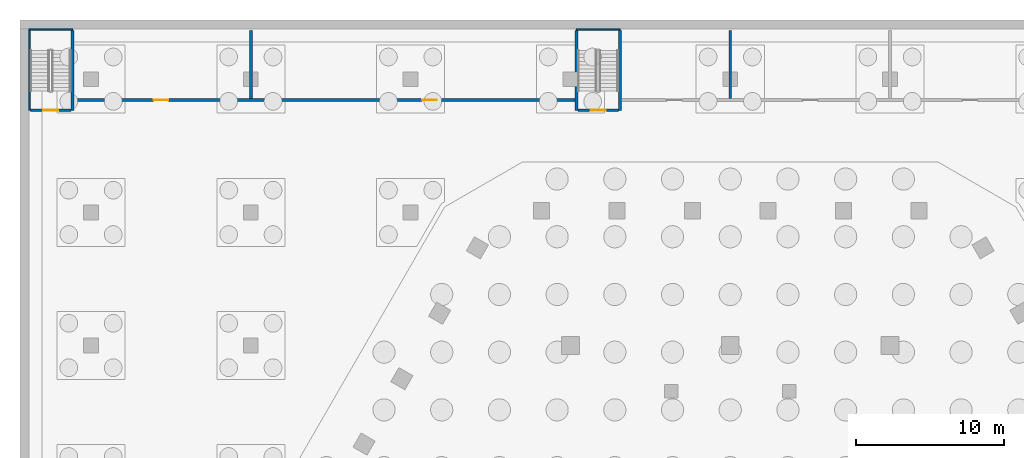
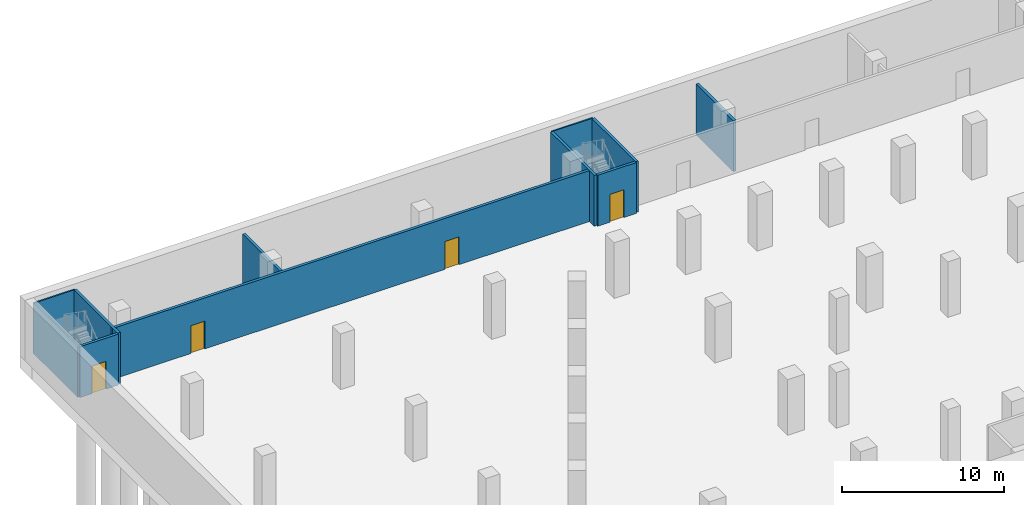
# One storey, part 9 of 21: 11 walls, 4 doors, 4 openings.
"""IFC4 building model written with IfcOpenShell, lengths in metres."""

from ifc_helpers import new_model, si_unit, direction, frame, frame_2d, origin, place, context, subcontext, project, spatial, rectangle, extrude, material, layer, layer_set, type_object, element, fill, save


model = new_model("IFC4")

# Units and contexts
model_context = context("Model", 3, precision=1e-05, world=origin(), true_north=direction((0.0, 1.0)))
body_context = subcontext(model_context, "Body", "Model", "MODEL_VIEW")
ifc_project = project(units=[si_unit("LENGTHUNIT", "METRE"), si_unit("AREAUNIT", "SQUARE_METRE"), si_unit("VOLUMEUNIT", "CUBIC_METRE"), si_unit("PLANEANGLEUNIT", "RADIAN"), si_unit("MASSUNIT", "GRAM", prefix="KILO")], contexts=[model_context])

# Site, building, storey
site_placement = place(None, origin())
site = spatial("IfcSite", under=ifc_project, at=site_placement, CompositionType="ELEMENT")
building_placement = place(site_placement, origin())
building = spatial("IfcBuilding", under=site, at=building_placement, Name="Beryl Residences", CompositionType="ELEMENT")
storey_placement = place(building_placement, frame((0.0, 0.0, -8.39990234375)))
storey = spatial("IfcBuildingStorey", under=building, at=storey_placement, Name="B2", CompositionType="ELEMENT", Elevation=-8.39990234375)

# Wall, opening, door
ifc_material_1 = material(Name="Concrete C40/50", Category="concrete")
ifc_layer_1 = layer(ifc_material_1, 0.199951171875)
ifc_layer_set_1 = layer_set([ifc_layer_1], Name="PT5 stair enclosure wall 200 mm reinforced concrete C40/50")
wall_type_1 = type_object("IfcWallType", Name="PT5 stair enclosure wall 200 mm reinforced concrete C40/50", PredefinedType="SOLIDWALL", material=ifc_layer_set_1)
wall_1_placement = place(storey_placement, frame((-47.300048828125, 33.89990234375, 0.0), z_axis=(0.0, 0.0, 1.0), x_axis=(1.0, 0.0, 0.0)))
wall_1 = element("IfcWall", 1, at=wall_1_placement, inside=storey, type_object=wall_type_1, Name="Wall PT5 B2 004", PredefinedType="SOLIDWALL", context=body_context, shape_type="SweptSolid", body=[
    extrude(rectangle(XDim=2.75, YDim=0.199951171875, at=frame_2d((1.375, 0.0))), origin(), (0.0, 0.0, 1.0), 3.849853515625),
])
opening_1_placement = place(wall_1_placement, frame((0.875, 0.0, 0.0)))
opening_1 = element("IfcOpeningElement", 2, at=opening_1_placement, cuts=wall_1, Name="Opening B2-01", PredefinedType="OPENING", context=body_context, shape_type="SweptSolid", body=[
    extrude(rectangle(XDim=1.0, YDim=2.10009765625, at=frame_2d((0.5, 1.050048828125))), frame((0.0, 0.10986328125, 0.0), z_axis=(0.0, -1.0, 0.0), x_axis=(1.0, 0.0, 0.0)), (0.0, 0.0, 1.0), 0.219970703125),
])
ifc_material_2 = material(Name="Steel door leaf in steel frame", Category="steel")
door_type_1 = type_object("IfcDoorType", Name="D15 stair door 1000 x 2100 mm", OperationType="SINGLE_SWING_LEFT", PredefinedType="DOOR", material=ifc_material_2)
door_1_placement = place(opening_1_placement, origin())
door_1 = element("IfcDoor", 3, at=door_1_placement, inside=storey, type_object=door_type_1, Name="Door B2-01 B2 001", OperationType="SINGLE_SWING_LEFT", OverallHeight=2.10009765625, OverallWidth=1.0, PredefinedType="DOOR", context=body_context, shape_type="SweptSolid", body=[
    extrude(rectangle(XDim=1.0, YDim=2.10009765625, at=frame_2d((0.5, 1.050048828125))), frame((0.0, 0.02490234375, 0.0), z_axis=(0.0, -1.0, 0.0), x_axis=(1.0, 0.0, 0.0)), (0.0, 0.0, 1.0), 0.050048828125),
])
fill(opening_1, door_1)

wall_2_placement = place(storey_placement, frame((-10.300048828125, 33.89990234375, 0.0), z_axis=(0.0, 0.0, 1.0), x_axis=(1.0, 0.0, 0.0)))
wall_2 = element("IfcWall", 4, at=wall_2_placement, inside=storey, type_object=wall_type_1, Name="Wall PT5 B2 005", PredefinedType="SOLIDWALL", context=body_context, shape_type="SweptSolid", body=[
    extrude(rectangle(XDim=2.75, YDim=0.199951171875, at=frame_2d((1.375, 0.0))), origin(), (0.0, 0.0, 1.0), 3.849853515625),
])
opening_2_placement = place(wall_2_placement, frame((0.875, 0.0, 0.0)))
opening_2 = element("IfcOpeningElement", 5, at=opening_2_placement, cuts=wall_2, Name="Opening B2-02", PredefinedType="OPENING", context=body_context, shape_type="SweptSolid", body=[
    extrude(rectangle(XDim=1.0, YDim=2.10009765625, at=frame_2d((0.5, 1.050048828125))), frame((0.0, 0.10986328125, 0.0), z_axis=(0.0, -1.0, 0.0), x_axis=(1.0, 0.0, 0.0)), (0.0, 0.0, 1.0), 0.219970703125),
])
door_2_placement = place(opening_2_placement, origin())
door_2 = element("IfcDoor", 6, at=door_2_placement, inside=storey, type_object=door_type_1, Name="Door B2-02 B2 001", OperationType="SINGLE_SWING_RIGHT", OverallHeight=2.10009765625, OverallWidth=1.0, PredefinedType="DOOR", context=body_context, shape_type="SweptSolid", body=[
    extrude(rectangle(XDim=1.0, YDim=2.10009765625, at=frame_2d((0.5, 1.050048828125))), frame((0.0, 0.02490234375, 0.0), z_axis=(0.0, -1.0, 0.0), x_axis=(1.0, 0.0, 0.0)), (0.0, 0.0, 1.0), 0.050048828125),
])
fill(opening_2, door_2)

# Walls
for number, where, z_axis, x_axis, name in (
    (7, (-44.449951171875, 33.89990234375, 0.0), (0.0, 0.0, 1.0), (0.0, 1.0, 0.0), "Wall PT5 B2 008"),
    (8, (-10.39990234375, 33.89990234375, 0.0), (0.0, 0.0, 1.0), (0.0, 1.0, 0.0), "Wall PT5 B2 011"),
    (9, (-7.449951171875, 33.89990234375, 0.0), (0.0, 0.0, 1.0), (0.0, 1.0, 0.0), "Wall PT5 B2 012"),
):
    element("IfcWall", number, at=place(storey_placement, frame(where, z_axis=z_axis, x_axis=x_axis)), inside=storey, type_object=wall_type_1, Name=name, PredefinedType="SOLIDWALL", context=body_context, shape_type="SweptSolid", body=[
        extrude(rectangle(XDim=5.400146484375, YDim=0.199951171875, at=frame_2d((2.7001953125, 0.0))), origin(), (0.0, 0.0, 1.0), 3.849853515625),
    ])
ifc_material_3 = material(Name="Concrete C40/50", Category="concrete")
ifc_layer_2 = layer(ifc_material_3, 0.10009765625)
ifc_layer_set_2 = layer_set([ifc_layer_2], Name="PT5-100 stair enclosure wall 100 mm")
wall_type_2 = type_object("IfcWallType", Name="PT5-100 stair enclosure wall 100 mm", PredefinedType="SOLIDWALL", material=ifc_layer_set_2)
wall_3_placement = place(storey_placement, frame((-47.35009765625, 33.89990234375, 0.0), z_axis=(0.0, 0.0, 1.0), x_axis=(0.0, 1.0, 0.0)))
element("IfcWall", 10, at=wall_3_placement, inside=storey, type_object=wall_type_2, Name="Wall PT5-100 B2 001", PredefinedType="SOLIDWALL", context=body_context, shape_type="SweptSolid", body=[
    extrude(rectangle(XDim=5.5, YDim=0.10009765625, at=frame_2d((2.75, 0.0))), origin(), (0.0, 0.0, 1.0), 3.849853515625),
])
for number, where, z_axis, x_axis, name in (
    (11, (-47.39990234375, 39.35009765625, 0.0), (0.0, 0.0, 1.0), (1.0, 0.0, 0.0), "Wall PT5-100 B2 002"),
    (12, (-10.39990234375, 39.35009765625, 0.0), (0.0, 0.0, 1.0), (1.0, 0.0, 0.0), "Wall PT5-100 B2 003"),
):
    element("IfcWall", number, at=place(storey_placement, frame(where, z_axis=z_axis, x_axis=x_axis)), inside=storey, type_object=wall_type_2, Name=name, PredefinedType="SOLIDWALL", context=body_context, shape_type="SweptSolid", body=[
        extrude(rectangle(XDim=2.949951171875, YDim=0.10009765625, at=frame_2d((1.47509765625, 0.0))), origin(), (0.0, 0.0, 1.0), 3.849853515625),
    ])

# Wall, openings, doors
ifc_material_4 = material(Name="Concrete C40/50", Category="concrete")
ifc_layer_3 = layer(ifc_material_4, 0.199951171875)
ifc_layer_set_3 = layer_set([ifc_layer_3], Name="PT9-200 plant room wall 200 mm")
wall_type_3 = type_object("IfcWallType", Name="PT9-200 plant room wall 200 mm", PredefinedType="SOLIDWALL", material=ifc_layer_set_3)
wall_4_placement = place(storey_placement, frame((-44.550048828125, 34.60009765625, 0.0), z_axis=(0.0, 0.0, 1.0), x_axis=(1.0, 0.0, 0.0)))
wall_4 = element("IfcWall", 13, at=wall_4_placement, inside=storey, type_object=wall_type_3, Name="Wall PT9-200 B2 001", PredefinedType="SOLIDWALL", context=body_context, shape_type="SweptSolid", body=[
    extrude(rectangle(XDim=34.25, YDim=0.199951171875, at=frame_2d((17.125, 0.0))), origin(), (0.0, 0.0, 1.0), 3.849853515625),
])
opening_3_placement = place(wall_4_placement, frame((6.574951171875, 0.0, 0.0), z_axis=(0.0, 0.0, 1.0), x_axis=(-1.0, 0.0, 0.0)))
opening_3 = element("IfcOpeningElement", 14, at=opening_3_placement, cuts=wall_4, Name="Opening B2-08", PredefinedType="OPENING", context=body_context, shape_type="SweptSolid", body=[
    extrude(rectangle(XDim=1.0, YDim=2.10009765625, at=frame_2d((0.5, 1.050048828125))), frame((0.0, 0.10986328125, 0.0), z_axis=(0.0, -1.0, 0.0), x_axis=(1.0, 0.0, 0.0)), (0.0, 0.0, 1.0), 0.219970703125),
])
opening_4_placement = place(wall_4_placement, frame((24.72998046875, 0.0, 0.0), z_axis=(0.0, 0.0, 1.0), x_axis=(-1.0, 0.0, 0.0)))
opening_4 = element("IfcOpeningElement", 15, at=opening_4_placement, cuts=wall_4, Name="Opening B2-09", PredefinedType="OPENING", context=body_context, shape_type="SweptSolid", body=[
    extrude(rectangle(XDim=1.0, YDim=2.10009765625, at=frame_2d((0.5, 1.050048828125))), frame((0.0, 0.10986328125, 0.0), z_axis=(0.0, -1.0, 0.0), x_axis=(1.0, 0.0, 0.0)), (0.0, 0.0, 1.0), 0.219970703125),
])
ifc_material_5 = material(Name="Steel door leaf in steel frame", Category="steel")
door_type_2 = type_object("IfcDoorType", Name="D16 plant room door 1000 x 2100 mm", OperationType="SINGLE_SWING_LEFT", PredefinedType="DOOR", material=ifc_material_5)
door_3_placement = place(opening_3_placement, origin())
door_3 = element("IfcDoor", 16, at=door_3_placement, inside=storey, type_object=door_type_2, Name="Door B2-08 B2 001", OperationType="SINGLE_SWING_LEFT", OverallHeight=2.10009765625, OverallWidth=1.0, PredefinedType="DOOR", context=body_context, shape_type="SweptSolid", body=[
    extrude(rectangle(XDim=1.0, YDim=2.10009765625, at=frame_2d((0.5, 1.050048828125))), frame((0.0, 0.02490234375, 0.0), z_axis=(0.0, -1.0, 0.0), x_axis=(1.0, 0.0, 0.0)), (0.0, 0.0, 1.0), 0.050048828125),
])
fill(opening_3, door_3)
door_4_placement = place(opening_4_placement, origin())
door_4 = element("IfcDoor", 17, at=door_4_placement, inside=storey, type_object=door_type_2, Name="Door B2-09 B2 001", OperationType="SINGLE_SWING_RIGHT", OverallHeight=2.10009765625, OverallWidth=1.0, PredefinedType="DOOR", context=body_context, shape_type="SweptSolid", body=[
    extrude(rectangle(XDim=1.0, YDim=2.10009765625, at=frame_2d((0.5, 1.050048828125))), frame((0.0, 0.02490234375, 0.0), z_axis=(0.0, -1.0, 0.0), x_axis=(1.0, 0.0, 0.0)), (0.0, 0.0, 1.0), 0.050048828125),
])
fill(opening_4, door_4)

# Walls
for number, where, z_axis, x_axis, name in (
    (18, (-32.39990234375, 34.699951171875, 0.0), (0.0, 0.0, 1.0), (0.0, 1.0, 0.0), "Wall PT9-200 B2 003"),
    (19, (0.0, 34.699951171875, 0.0), (0.0, 0.0, 1.0), (0.0, 1.0, 0.0), "Wall PT9-200 B2 004"),
):
    element("IfcWall", number, at=place(storey_placement, frame(where, z_axis=z_axis, x_axis=x_axis)), inside=storey, type_object=wall_type_3, Name=name, PredefinedType="SOLIDWALL", context=body_context, shape_type="SweptSolid", body=[
        extrude(rectangle(XDim=4.60009765625, YDim=0.199951171875, at=frame_2d((2.300048828125, 0.0))), origin(), (0.0, 0.0, 1.0), 3.849853515625),
    ])

save(model, "model.ifc")
